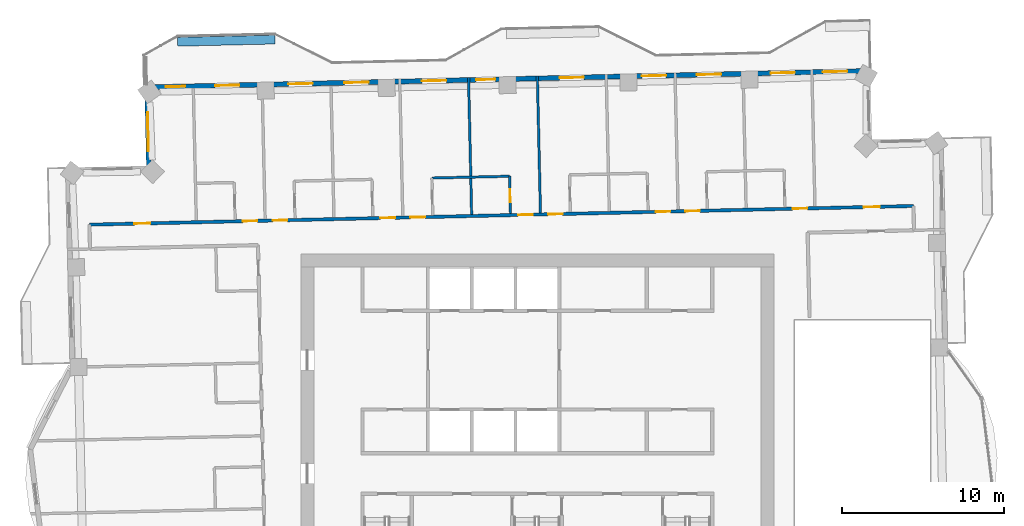
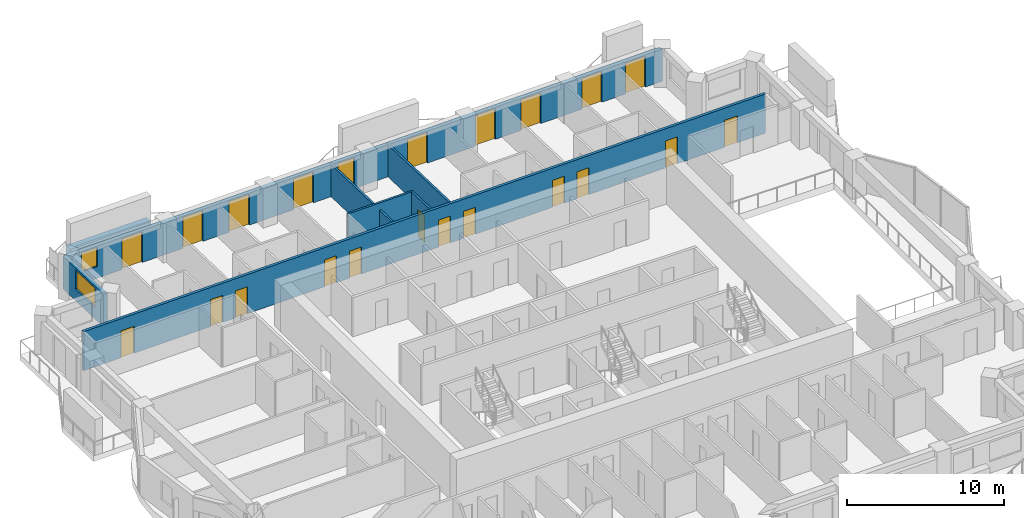
# One storey, part 11 of 17: 22 doors, 8 walls, 2 windows, 24 openings.
"""IFC4 building model written with IfcOpenShell, lengths in metres."""

from ifc_helpers import new_model, si_unit, direction, frame, frame_2d, origin, place, context, subcontext, project, spatial, rectangle, extrude, material, layer, layer_set, type_object, element, fill, save


model = new_model("IFC4")

# Units and contexts
model_context = context("Model", 3, precision=1e-05, world=origin(), true_north=direction((0.0, 1.0)))
body_context = subcontext(model_context, "Body", "Model", "MODEL_VIEW")
ifc_project = project(units=[si_unit("LENGTHUNIT", "METRE"), si_unit("AREAUNIT", "SQUARE_METRE"), si_unit("VOLUMEUNIT", "CUBIC_METRE"), si_unit("PLANEANGLEUNIT", "RADIAN"), si_unit("MASSUNIT", "GRAM", prefix="KILO")], contexts=[model_context])

# Site, building, storey
site_placement = place(None, origin())
site = spatial("IfcSite", under=ifc_project, at=site_placement, CompositionType="ELEMENT")
building_placement = place(site_placement, origin())
building = spatial("IfcBuilding", under=site, at=building_placement, Name="Mangrove Gate Tower", CompositionType="ELEMENT")
storey_placement = place(building_placement, frame((0.0, 0.0, 249.10009765625)))
storey = spatial("IfcBuildingStorey", under=building, at=storey_placement, Name="L63", CompositionType="ELEMENT", Elevation=249.10009765625)

# Wall, openings, doors
ifc_material_1 = material(Name="Gypsum board on steel stud, EI 60", Category="steel")
ifc_layer_1 = layer(ifc_material_1, 0.199951171875)
ifc_layer_set_1 = layer_set([ifc_layer_1], Name="Corridor wall EI 60")
wall_type_1 = type_object("IfcWallType", Name="Corridor wall EI 60", PredefinedType="PARTITIONING", material=ifc_layer_set_1)
wall_1_placement = place(storey_placement, frame((-27.652099609375, 13.4130859375, 0.0), z_axis=(0.0, 0.0, 1.0), x_axis=(0.999742864992, 0.022676064408, 0.0)))
wall_1 = element("IfcWall", 1, at=wall_1_placement, inside=storey, type_object=wall_type_1, Name="WALL-L63-058", PredefinedType="PARTITIONING", context=body_context, shape_type="SweptSolid", body=[
    extrude(rectangle(XDim=50.88232421875, YDim=0.199951171875, at=frame_2d((25.441162109375, 0.0))), origin(), (0.0, 0.0, 1.0), 3.0498046875),
])
opening_1_placement = place(wall_1_placement, frame((47.801025390625, 0.0, 0.0)))
opening_1 = element("IfcOpeningElement", 2, at=opening_1_placement, cuts=wall_1, Name="Opening AD", PredefinedType="OPENING", context=body_context, shape_type="SweptSolid", body=[
    extrude(rectangle(XDim=1.0, YDim=2.10009765625, at=frame_2d((0.5, 1.050048828125))), frame((0.0, 0.10986328125, 0.0), z_axis=(0.0, -1.0, 0.0), x_axis=(1.0, 0.0, 0.0)), (0.0, 0.0, 1.0), 0.219970703125),
])
opening_2_placement = place(wall_1_placement, frame((43.425048828125, 0.0, 0.0)))
opening_2 = element("IfcOpeningElement", 3, at=opening_2_placement, cuts=wall_1, Name="Opening BD", PredefinedType="OPENING", context=body_context, shape_type="SweptSolid", body=[
    extrude(rectangle(XDim=0.89990234375, YDim=2.10009765625, at=frame_2d((0.449951171875, 1.050048828125))), frame((0.0, 0.10986328125, 0.0), z_axis=(0.0, -1.0, 0.0), x_axis=(1.0, 0.0, 0.0)), (0.0, 0.0, 1.0), 0.219970703125),
])
opening_3_placement = place(wall_1_placement, frame((36.800048828125, 0.0, 0.0)))
opening_3 = element("IfcOpeningElement", 4, at=opening_3_placement, cuts=wall_1, Name="Opening BD", PredefinedType="OPENING", context=body_context, shape_type="SweptSolid", body=[
    extrude(rectangle(XDim=0.89990234375, YDim=2.10009765625, at=frame_2d((0.449951171875, 1.050048828125))), frame((0.0, 0.10986328125, 0.0), z_axis=(0.0, -1.0, 0.0), x_axis=(1.0, 0.0, 0.0)), (0.0, 0.0, 1.0), 0.219970703125),
])
opening_4_placement = place(wall_1_placement, frame((34.97509765625, 0.0, 0.0)))
opening_4 = element("IfcOpeningElement", 5, at=opening_4_placement, cuts=wall_1, Name="Opening BD", PredefinedType="OPENING", context=body_context, shape_type="SweptSolid", body=[
    extrude(rectangle(XDim=0.89990234375, YDim=2.10009765625, at=frame_2d((0.449951171875, 1.050048828125))), frame((0.0, 0.10986328125, 0.0), z_axis=(0.0, -1.0, 0.0), x_axis=(1.0, 0.0, 0.0)), (0.0, 0.0, 1.0), 0.219970703125),
])
opening_5_placement = place(wall_1_placement, frame((28.324951171875, 0.0, 0.0)))
opening_5 = element("IfcOpeningElement", 6, at=opening_5_placement, cuts=wall_1, Name="Opening BD", PredefinedType="OPENING", context=body_context, shape_type="SweptSolid", body=[
    extrude(rectangle(XDim=0.89990234375, YDim=2.10009765625, at=frame_2d((0.449951171875, 1.050048828125))), frame((0.0, 0.10986328125, 0.0), z_axis=(0.0, -1.0, 0.0), x_axis=(1.0, 0.0, 0.0)), (0.0, 0.0, 1.0), 0.219970703125),
])
opening_6_placement = place(wall_1_placement, frame((26.47509765625, 0.0, 0.0)))
opening_6 = element("IfcOpeningElement", 7, at=opening_6_placement, cuts=wall_1, Name="Opening BD", PredefinedType="OPENING", context=body_context, shape_type="SweptSolid", body=[
    extrude(rectangle(XDim=0.89990234375, YDim=2.10009765625, at=frame_2d((0.449951171875, 1.050048828125))), frame((0.0, 0.10986328125, 0.0), z_axis=(0.0, -1.0, 0.0), x_axis=(1.0, 0.0, 0.0)), (0.0, 0.0, 1.0), 0.219970703125),
])
opening_7_placement = place(wall_1_placement, frame((19.824951171875, 0.0, 0.0)))
opening_7 = element("IfcOpeningElement", 8, at=opening_7_placement, cuts=wall_1, Name="Opening BD", PredefinedType="OPENING", context=body_context, shape_type="SweptSolid", body=[
    extrude(rectangle(XDim=0.89990234375, YDim=2.10009765625, at=frame_2d((0.449951171875, 1.050048828125))), frame((0.0, 0.10986328125, 0.0), z_axis=(0.0, -1.0, 0.0), x_axis=(1.0, 0.0, 0.0)), (0.0, 0.0, 1.0), 0.219970703125),
])
opening_8_placement = place(wall_1_placement, frame((17.97509765625, 0.0, 0.0)))
opening_8 = element("IfcOpeningElement", 9, at=opening_8_placement, cuts=wall_1, Name="Opening BD", PredefinedType="OPENING", context=body_context, shape_type="SweptSolid", body=[
    extrude(rectangle(XDim=0.89990234375, YDim=2.10009765625, at=frame_2d((0.449951171875, 1.050048828125))), frame((0.0, 0.10986328125, 0.0), z_axis=(0.0, -1.0, 0.0), x_axis=(1.0, 0.0, 0.0)), (0.0, 0.0, 1.0), 0.219970703125),
])
opening_9_placement = place(wall_1_placement, frame((11.324951171875, 0.0, 0.0)))
opening_9 = element("IfcOpeningElement", 10, at=opening_9_placement, cuts=wall_1, Name="Opening BD", PredefinedType="OPENING", context=body_context, shape_type="SweptSolid", body=[
    extrude(rectangle(XDim=0.89990234375, YDim=2.10009765625, at=frame_2d((0.449951171875, 1.050048828125))), frame((0.0, 0.10986328125, 0.0), z_axis=(0.0, -1.0, 0.0), x_axis=(1.0, 0.0, 0.0)), (0.0, 0.0, 1.0), 0.219970703125),
])
opening_10_placement = place(wall_1_placement, frame((9.47509765625, 0.0, 0.0)))
opening_10 = element("IfcOpeningElement", 11, at=opening_10_placement, cuts=wall_1, Name="Opening BD", PredefinedType="OPENING", context=body_context, shape_type="SweptSolid", body=[
    extrude(rectangle(XDim=0.89990234375, YDim=2.10009765625, at=frame_2d((0.449951171875, 1.050048828125))), frame((0.0, 0.10986328125, 0.0), z_axis=(0.0, -1.0, 0.0), x_axis=(1.0, 0.0, 0.0)), (0.0, 0.0, 1.0), 0.219970703125),
])
opening_11_placement = place(wall_1_placement, frame((2.77197265625, 0.0, 0.0)))
opening_11 = element("IfcOpeningElement", 12, at=opening_11_placement, cuts=wall_1, Name="Opening AD", PredefinedType="OPENING", context=body_context, shape_type="SweptSolid", body=[
    extrude(rectangle(XDim=1.0, YDim=2.10009765625, at=frame_2d((0.5, 1.050048828125))), frame((0.0, 0.10986328125, 0.0), z_axis=(0.0, -1.0, 0.0), x_axis=(1.0, 0.0, 0.0)), (0.0, 0.0, 1.0), 0.219970703125),
])
ifc_material_2 = material(Name="Timber door leaf", Category="wood")
door_type_1 = type_object("IfcDoorType", Name="Amenity door 1000", OperationType="SINGLE_SWING_LEFT", PredefinedType="DOOR", material=ifc_material_2)
door_1_placement = place(opening_1_placement, origin())
door_1 = element("IfcDoor", 13, at=door_1_placement, inside=storey, type_object=door_type_1, Name="DOOR-L63-KIT-c3c", OperationType="SINGLE_SWING_LEFT", OverallHeight=2.10009765625, OverallWidth=1.0, PredefinedType="DOOR", context=body_context, shape_type="SweptSolid", body=[
    extrude(rectangle(XDim=1.0, YDim=2.10009765625, at=frame_2d((0.5, 1.050048828125))), frame((0.0, 0.02490234375, 0.0), z_axis=(0.0, -1.0, 0.0), x_axis=(1.0, 0.0, 0.0)), (0.0, 0.0, 1.0), 0.050048828125),
])
fill(opening_1, door_1)
door_2_placement = place(opening_11_placement, origin())
door_2 = element("IfcDoor", 14, at=door_2_placement, inside=storey, type_object=door_type_1, Name="DOOR-L63-STU-c5a", OperationType="SINGLE_SWING_RIGHT", OverallHeight=2.10009765625, OverallWidth=1.0, PredefinedType="DOOR", context=body_context, shape_type="SweptSolid", body=[
    extrude(rectangle(XDim=1.0, YDim=2.10009765625, at=frame_2d((0.5, 1.050048828125))), frame((0.0, 0.02490234375, 0.0), z_axis=(0.0, -1.0, 0.0), x_axis=(1.0, 0.0, 0.0)), (0.0, 0.0, 1.0), 0.050048828125),
])
fill(opening_11, door_2)
ifc_material_3 = material(Name="Timber door leaf", Category="wood")
door_type_2 = type_object("IfcDoorType", Name="Bedroom door 900", OperationType="SINGLE_SWING_LEFT", PredefinedType="DOOR", material=ifc_material_3)
door_3_placement = place(opening_2_placement, origin())
door_3 = element("IfcDoor", 15, at=door_3_placement, inside=storey, type_object=door_type_2, Name="DOOR-L63-BED-c309", OperationType="SINGLE_SWING_LEFT", OverallHeight=2.10009765625, OverallWidth=0.89990234375, PredefinedType="DOOR", context=body_context, shape_type="SweptSolid", body=[
    extrude(rectangle(XDim=0.89990234375, YDim=2.10009765625, at=frame_2d((0.449951171875, 1.050048828125))), frame((0.0, 0.02490234375, 0.0), z_axis=(0.0, -1.0, 0.0), x_axis=(1.0, 0.0, 0.0)), (0.0, 0.0, 1.0), 0.050048828125),
])
fill(opening_2, door_3)
door_4_placement = place(opening_3_placement, origin())
door_4 = element("IfcDoor", 16, at=door_4_placement, inside=storey, type_object=door_type_2, Name="DOOR-L63-BED-c310", OperationType="SINGLE_SWING_RIGHT", OverallHeight=2.10009765625, OverallWidth=0.89990234375, PredefinedType="DOOR", context=body_context, shape_type="SweptSolid", body=[
    extrude(rectangle(XDim=0.89990234375, YDim=2.10009765625, at=frame_2d((0.449951171875, 1.050048828125))), frame((0.0, 0.02490234375, 0.0), z_axis=(0.0, -1.0, 0.0), x_axis=(1.0, 0.0, 0.0)), (0.0, 0.0, 1.0), 0.050048828125),
])
fill(opening_3, door_4)
door_5_placement = place(opening_4_placement, origin())
door_5 = element("IfcDoor", 17, at=door_5_placement, inside=storey, type_object=door_type_2, Name="DOOR-L63-BED-c311", OperationType="SINGLE_SWING_LEFT", OverallHeight=2.10009765625, OverallWidth=0.89990234375, PredefinedType="DOOR", context=body_context, shape_type="SweptSolid", body=[
    extrude(rectangle(XDim=0.89990234375, YDim=2.10009765625, at=frame_2d((0.449951171875, 1.050048828125))), frame((0.0, 0.02490234375, 0.0), z_axis=(0.0, -1.0, 0.0), x_axis=(1.0, 0.0, 0.0)), (0.0, 0.0, 1.0), 0.050048828125),
])
fill(opening_4, door_5)
door_6_placement = place(opening_5_placement, origin())
door_6 = element("IfcDoor", 18, at=door_6_placement, inside=storey, type_object=door_type_2, Name="DOOR-L63-BED-c412", OperationType="SINGLE_SWING_RIGHT", OverallHeight=2.10009765625, OverallWidth=0.89990234375, PredefinedType="DOOR", context=body_context, shape_type="SweptSolid", body=[
    extrude(rectangle(XDim=0.89990234375, YDim=2.10009765625, at=frame_2d((0.449951171875, 1.050048828125))), frame((0.0, 0.02490234375, 0.0), z_axis=(0.0, -1.0, 0.0), x_axis=(1.0, 0.0, 0.0)), (0.0, 0.0, 1.0), 0.050048828125),
])
fill(opening_5, door_6)
door_7_placement = place(opening_6_placement, origin())
door_7 = element("IfcDoor", 19, at=door_7_placement, inside=storey, type_object=door_type_2, Name="DOOR-L63-BED-c413", OperationType="SINGLE_SWING_LEFT", OverallHeight=2.10009765625, OverallWidth=0.89990234375, PredefinedType="DOOR", context=body_context, shape_type="SweptSolid", body=[
    extrude(rectangle(XDim=0.89990234375, YDim=2.10009765625, at=frame_2d((0.449951171875, 1.050048828125))), frame((0.0, 0.02490234375, 0.0), z_axis=(0.0, -1.0, 0.0), x_axis=(1.0, 0.0, 0.0)), (0.0, 0.0, 1.0), 0.050048828125),
])
fill(opening_6, door_7)
door_8_placement = place(opening_7_placement, origin())
door_8 = element("IfcDoor", 20, at=door_8_placement, inside=storey, type_object=door_type_2, Name="DOOR-L63-BED-c414", OperationType="SINGLE_SWING_RIGHT", OverallHeight=2.10009765625, OverallWidth=0.89990234375, PredefinedType="DOOR", context=body_context, shape_type="SweptSolid", body=[
    extrude(rectangle(XDim=0.89990234375, YDim=2.10009765625, at=frame_2d((0.449951171875, 1.050048828125))), frame((0.0, 0.02490234375, 0.0), z_axis=(0.0, -1.0, 0.0), x_axis=(1.0, 0.0, 0.0)), (0.0, 0.0, 1.0), 0.050048828125),
])
fill(opening_7, door_8)
door_9_placement = place(opening_8_placement, origin())
door_9 = element("IfcDoor", 21, at=door_9_placement, inside=storey, type_object=door_type_2, Name="DOOR-L63-BED-c515", OperationType="SINGLE_SWING_LEFT", OverallHeight=2.10009765625, OverallWidth=0.89990234375, PredefinedType="DOOR", context=body_context, shape_type="SweptSolid", body=[
    extrude(rectangle(XDim=0.89990234375, YDim=2.10009765625, at=frame_2d((0.449951171875, 1.050048828125))), frame((0.0, 0.02490234375, 0.0), z_axis=(0.0, -1.0, 0.0), x_axis=(1.0, 0.0, 0.0)), (0.0, 0.0, 1.0), 0.050048828125),
])
fill(opening_8, door_9)
door_10_placement = place(opening_9_placement, origin())
door_10 = element("IfcDoor", 22, at=door_10_placement, inside=storey, type_object=door_type_2, Name="DOOR-L63-BED-c516", OperationType="SINGLE_SWING_RIGHT", OverallHeight=2.10009765625, OverallWidth=0.89990234375, PredefinedType="DOOR", context=body_context, shape_type="SweptSolid", body=[
    extrude(rectangle(XDim=0.89990234375, YDim=2.10009765625, at=frame_2d((0.449951171875, 1.050048828125))), frame((0.0, 0.02490234375, 0.0), z_axis=(0.0, -1.0, 0.0), x_axis=(1.0, 0.0, 0.0)), (0.0, 0.0, 1.0), 0.050048828125),
])
fill(opening_9, door_10)
door_11_placement = place(opening_10_placement, origin())
door_11 = element("IfcDoor", 23, at=door_11_placement, inside=storey, type_object=door_type_2, Name="DOOR-L63-BED-c517", OperationType="SINGLE_SWING_LEFT", OverallHeight=2.10009765625, OverallWidth=0.89990234375, PredefinedType="DOOR", context=body_context, shape_type="SweptSolid", body=[
    extrude(rectangle(XDim=0.89990234375, YDim=2.10009765625, at=frame_2d((0.449951171875, 1.050048828125))), frame((0.0, 0.02490234375, 0.0), z_axis=(0.0, -1.0, 0.0), x_axis=(1.0, 0.0, 0.0)), (0.0, 0.0, 1.0), 0.050048828125),
])
fill(opening_10, door_11)

# Wall, openings, doors, window
ifc_material_4 = material(Name="Limestone", Category="masonry")
ifc_layer_2 = layer(ifc_material_4, 0.0400390625, Name="Limestone cladding")
ifc_material_5 = material(Name="Ventilated air gap")
ifc_layer_3 = layer(ifc_material_5, 0.0400390625, Name="Ventilated cavity")
ifc_material_6 = material(Name="Mineral wool insulation")
ifc_layer_4 = layer(ifc_material_6, 0.06005859375, Name="Insulation")
ifc_material_7 = material(Name="Breather membrane")
ifc_layer_5 = layer(ifc_material_7, 0.001953125, Name="Breather membrane")
ifc_material_8 = material(Name="Concrete C20/25 blockwork", Category="masonry")
ifc_layer_6 = layer(ifc_material_8, 0.14990234375, Name="Blockwork backing wall")
ifc_material_9 = material(Name="Gypsum plaster")
ifc_layer_7 = layer(ifc_material_9, 0.008056640625, Name="Internal plaster")
ifc_layer_set_2 = layer_set([ifc_layer_2, ifc_layer_3, ifc_layer_4, ifc_layer_5, ifc_layer_6, ifc_layer_7], Name="External wall 300 limestone cladding")
wall_type_2 = type_object("IfcWallType", Name="External wall 300 limestone cladding", PredefinedType="SOLIDWALL", material=ifc_layer_set_2)
wall_2_placement = place(storey_placement, frame((20.403076171875, 22.905029296875, 0.0), z_axis=(0.0, 0.0, 1.0), x_axis=(-0.99974298964, -0.022670568288, 0.0)))
wall_2 = element("IfcWall", 24, at=wall_2_placement, inside=storey, type_object=wall_type_2, Name="WALL-L63-N5", PredefinedType="SOLIDWALL", context=body_context, shape_type="SweptSolid", body=[
    extrude(rectangle(XDim=44.508544921875, YDim=0.300048828125, at=frame_2d((22.25439453125, 0.0))), origin(), (0.0, 0.0, 1.0), 2.5),
])
opening_12_placement = place(wall_2_placement, frame((1.27197265625, 0.0, 0.0)))
opening_12 = element("IfcOpeningElement", 25, at=opening_12_placement, cuts=wall_2, Name="Opening BD1", PredefinedType="OPENING", context=body_context, shape_type="SweptSolid", body=[
    extrude(rectangle(XDim=1.5, YDim=2.39990234375, at=frame_2d((0.75, 1.199951171875))), frame((0.0, 0.159912109375, 0.0), z_axis=(0.0, -1.0, 0.0), x_axis=(1.0, 0.0, 0.0)), (0.0, 0.0, 1.0), 0.320068359375),
])
opening_13_placement = place(wall_2_placement, frame((4.5009765625, 0.0, 0.0)))
opening_13 = element("IfcOpeningElement", 26, at=opening_13_placement, cuts=wall_2, Name="Opening BD1", PredefinedType="OPENING", context=body_context, shape_type="SweptSolid", body=[
    extrude(rectangle(XDim=1.5, YDim=2.39990234375, at=frame_2d((0.75, 1.199951171875))), frame((0.0, 0.159912109375, 0.0), z_axis=(0.0, -1.0, 0.0), x_axis=(1.0, 0.0, 0.0)), (0.0, 0.0, 1.0), 0.320068359375),
])
opening_14_placement = place(wall_2_placement, frame((9.05810546875, 0.0, 0.0)))
opening_14 = element("IfcOpeningElement", 27, at=opening_14_placement, cuts=wall_2, Name="Opening BD1", PredefinedType="OPENING", context=body_context, shape_type="SweptSolid", body=[
    extrude(rectangle(XDim=1.5, YDim=2.39990234375, at=frame_2d((0.75, 1.199951171875))), frame((0.0, 0.159912109375, 0.0), z_axis=(0.0, -1.0, 0.0), x_axis=(1.0, 0.0, 0.0)), (0.0, 0.0, 1.0), 0.320068359375),
])
opening_15_placement = place(wall_2_placement, frame((12.4599609375, 0.0, 0.0)))
opening_15 = element("IfcOpeningElement", 28, at=opening_15_placement, cuts=wall_2, Name="Opening BD1", PredefinedType="OPENING", context=body_context, shape_type="SweptSolid", body=[
    extrude(rectangle(XDim=1.5, YDim=2.39990234375, at=frame_2d((0.75, 1.199951171875))), frame((0.0, 0.159912109375, 0.0), z_axis=(0.0, -1.0, 0.0), x_axis=(1.0, 0.0, 0.0)), (0.0, 0.0, 1.0), 0.320068359375),
])
opening_16_placement = place(wall_2_placement, frame((17.532958984375, 0.0, 0.0)))
opening_16 = element("IfcOpeningElement", 29, at=opening_16_placement, cuts=wall_2, Name="Opening BD1", PredefinedType="OPENING", context=body_context, shape_type="SweptSolid", body=[
    extrude(rectangle(XDim=1.5, YDim=2.39990234375, at=frame_2d((0.75, 1.199951171875))), frame((0.0, 0.159912109375, 0.0), z_axis=(0.0, -1.0, 0.0), x_axis=(1.0, 0.0, 0.0)), (0.0, 0.0, 1.0), 0.320068359375),
])
opening_17_placement = place(wall_2_placement, frame((22.992919921875, 0.0, 0.0)))
opening_17 = element("IfcOpeningElement", 30, at=opening_17_placement, cuts=wall_2, Name="Opening BD2", PredefinedType="OPENING", context=body_context, shape_type="SweptSolid", body=[
    extrude(rectangle(XDim=1.199951171875, YDim=2.39990234375, at=frame_2d((0.60009765625, 1.199951171875))), frame((0.0, 0.159912109375, 0.0), z_axis=(0.0, -1.0, 0.0), x_axis=(1.0, 0.0, 0.0)), (0.0, 0.0, 1.0), 0.320068359375),
])
opening_18_placement = place(wall_2_placement, frame((26.032958984375, 0.0, 0.0)))
opening_18 = element("IfcOpeningElement", 31, at=opening_18_placement, cuts=wall_2, Name="Opening BD1", PredefinedType="OPENING", context=body_context, shape_type="SweptSolid", body=[
    extrude(rectangle(XDim=1.5, YDim=2.39990234375, at=frame_2d((0.75, 1.199951171875))), frame((0.0, 0.159912109375, 0.0), z_axis=(0.0, -1.0, 0.0), x_axis=(1.0, 0.0, 0.0)), (0.0, 0.0, 1.0), 0.320068359375),
])
opening_19_placement = place(wall_2_placement, frame((30.826904296875, 0.0, 0.0)))
opening_19 = element("IfcOpeningElement", 32, at=opening_19_placement, cuts=wall_2, Name="Opening BD1", PredefinedType="OPENING", context=body_context, shape_type="SweptSolid", body=[
    extrude(rectangle(XDim=1.5, YDim=2.39990234375, at=frame_2d((0.75, 1.199951171875))), frame((0.0, 0.159912109375, 0.0), z_axis=(0.0, -1.0, 0.0), x_axis=(1.0, 0.0, 0.0)), (0.0, 0.0, 1.0), 0.320068359375),
])
opening_20_placement = place(wall_2_placement, frame((34.285888671875, 0.0, 0.0)))
opening_20 = element("IfcOpeningElement", 33, at=opening_20_placement, cuts=wall_2, Name="Opening BD1", PredefinedType="OPENING", context=body_context, shape_type="SweptSolid", body=[
    extrude(rectangle(XDim=1.5, YDim=2.39990234375, at=frame_2d((0.75, 1.199951171875))), frame((0.0, 0.159912109375, 0.0), z_axis=(0.0, -1.0, 0.0), x_axis=(1.0, 0.0, 0.0)), (0.0, 0.0, 1.0), 0.320068359375),
])
opening_21_placement = place(wall_2_placement, frame((38.81103515625, 0.0, 0.0)))
opening_21 = element("IfcOpeningElement", 34, at=opening_21_placement, cuts=wall_2, Name="Opening BD1", PredefinedType="OPENING", context=body_context, shape_type="SweptSolid", body=[
    extrude(rectangle(XDim=1.5, YDim=2.39990234375, at=frame_2d((0.75, 1.199951171875))), frame((0.0, 0.159912109375, 0.0), z_axis=(0.0, -1.0, 0.0), x_axis=(1.0, 0.0, 0.0)), (0.0, 0.0, 1.0), 0.320068359375),
])
opening_22_placement = place(wall_2_placement, frame((42.14794921875, 0.0, 0.89990234375)))
opening_22 = element("IfcOpeningElement", 35, at=opening_22_placement, cuts=wall_2, Name="Opening W1", PredefinedType="OPENING", context=body_context, shape_type="SweptSolid", body=[
    extrude(rectangle(XDim=1.199951171875, YDim=1.5, at=frame_2d((0.60009765625, 0.75))), frame((0.0, 0.159912109375, 0.0), z_axis=(0.0, -1.0, 0.0), x_axis=(1.0, 0.0, 0.0)), (0.0, 0.0, 1.0), 0.320068359375),
])
ifc_material_10 = material(Name="Aluminium frame with laminated clear glass", Category="aluminium")
door_type_3 = type_object("IfcDoorType", Name="Balcony sliding door 1200x2400", OperationType="SLIDING_TO_LEFT", PredefinedType="DOOR", material=ifc_material_10)
door_12_placement = place(opening_17_placement, origin())
door_12 = element("IfcDoor", 36, at=door_12_placement, inside=storey, type_object=door_type_3, Name="DOOR-L63-N5-6", OperationType="SLIDING_TO_LEFT", OverallHeight=2.39990234375, OverallWidth=1.199951171875, PredefinedType="DOOR", context=body_context, shape_type="SweptSolid", body=[
    extrude(rectangle(XDim=1.199951171875, YDim=2.39990234375, at=frame_2d((0.60009765625, 1.199951171875))), frame((0.0, 0.02490234375, 0.0), z_axis=(0.0, -1.0, 0.0), x_axis=(1.0, 0.0, 0.0)), (0.0, 0.0, 1.0), 0.050048828125),
])
fill(opening_17, door_12)
ifc_material_11 = material(Name="Aluminium frame with laminated clear glass", Category="aluminium")
door_type_4 = type_object("IfcDoorType", Name="Balcony sliding door 1500x2400", OperationType="SLIDING_TO_LEFT", PredefinedType="DOOR", material=ifc_material_11)
door_13_placement = place(opening_12_placement, origin())
door_13 = element("IfcDoor", 37, at=door_13_placement, inside=storey, type_object=door_type_4, Name="DOOR-L63-N5-1", OperationType="SLIDING_TO_LEFT", OverallHeight=2.39990234375, OverallWidth=1.5, PredefinedType="DOOR", context=body_context, shape_type="SweptSolid", body=[
    extrude(rectangle(XDim=1.5, YDim=2.39990234375, at=frame_2d((0.75, 1.199951171875))), frame((0.0, 0.02490234375, 0.0), z_axis=(0.0, -1.0, 0.0), x_axis=(1.0, 0.0, 0.0)), (0.0, 0.0, 1.0), 0.050048828125),
])
fill(opening_12, door_13)
door_14_placement = place(opening_13_placement, origin())
door_14 = element("IfcDoor", 38, at=door_14_placement, inside=storey, type_object=door_type_4, Name="DOOR-L63-N5-2", OperationType="SLIDING_TO_LEFT", OverallHeight=2.39990234375, OverallWidth=1.5, PredefinedType="DOOR", context=body_context, shape_type="SweptSolid", body=[
    extrude(rectangle(XDim=1.5, YDim=2.39990234375, at=frame_2d((0.75, 1.199951171875))), frame((0.0, 0.02490234375, 0.0), z_axis=(0.0, -1.0, 0.0), x_axis=(1.0, 0.0, 0.0)), (0.0, 0.0, 1.0), 0.050048828125),
])
fill(opening_13, door_14)
door_15_placement = place(opening_14_placement, origin())
door_15 = element("IfcDoor", 39, at=door_15_placement, inside=storey, type_object=door_type_4, Name="DOOR-L63-N5-3", OperationType="SLIDING_TO_LEFT", OverallHeight=2.39990234375, OverallWidth=1.5, PredefinedType="DOOR", context=body_context, shape_type="SweptSolid", body=[
    extrude(rectangle(XDim=1.5, YDim=2.39990234375, at=frame_2d((0.75, 1.199951171875))), frame((0.0, 0.02490234375, 0.0), z_axis=(0.0, -1.0, 0.0), x_axis=(1.0, 0.0, 0.0)), (0.0, 0.0, 1.0), 0.050048828125),
])
fill(opening_14, door_15)
door_16_placement = place(opening_15_placement, origin())
door_16 = element("IfcDoor", 40, at=door_16_placement, inside=storey, type_object=door_type_4, Name="DOOR-L63-N5-4", OperationType="SLIDING_TO_LEFT", OverallHeight=2.39990234375, OverallWidth=1.5, PredefinedType="DOOR", context=body_context, shape_type="SweptSolid", body=[
    extrude(rectangle(XDim=1.5, YDim=2.39990234375, at=frame_2d((0.75, 1.199951171875))), frame((0.0, 0.02490234375, 0.0), z_axis=(0.0, -1.0, 0.0), x_axis=(1.0, 0.0, 0.0)), (0.0, 0.0, 1.0), 0.050048828125),
])
fill(opening_15, door_16)
door_17_placement = place(opening_16_placement, origin())
door_17 = element("IfcDoor", 41, at=door_17_placement, inside=storey, type_object=door_type_4, Name="DOOR-L63-N5-5", OperationType="SLIDING_TO_LEFT", OverallHeight=2.39990234375, OverallWidth=1.5, PredefinedType="DOOR", context=body_context, shape_type="SweptSolid", body=[
    extrude(rectangle(XDim=1.5, YDim=2.39990234375, at=frame_2d((0.75, 1.199951171875))), frame((0.0, 0.02490234375, 0.0), z_axis=(0.0, -1.0, 0.0), x_axis=(1.0, 0.0, 0.0)), (0.0, 0.0, 1.0), 0.050048828125),
])
fill(opening_16, door_17)
door_18_placement = place(opening_18_placement, origin())
door_18 = element("IfcDoor", 42, at=door_18_placement, inside=storey, type_object=door_type_4, Name="DOOR-L63-N5-7", OperationType="SLIDING_TO_LEFT", OverallHeight=2.39990234375, OverallWidth=1.5, PredefinedType="DOOR", context=body_context, shape_type="SweptSolid", body=[
    extrude(rectangle(XDim=1.5, YDim=2.39990234375, at=frame_2d((0.75, 1.199951171875))), frame((0.0, 0.02490234375, 0.0), z_axis=(0.0, -1.0, 0.0), x_axis=(1.0, 0.0, 0.0)), (0.0, 0.0, 1.0), 0.050048828125),
])
fill(opening_18, door_18)
door_19_placement = place(opening_19_placement, origin())
door_19 = element("IfcDoor", 43, at=door_19_placement, inside=storey, type_object=door_type_4, Name="DOOR-L63-N5-8", OperationType="SLIDING_TO_LEFT", OverallHeight=2.39990234375, OverallWidth=1.5, PredefinedType="DOOR", context=body_context, shape_type="SweptSolid", body=[
    extrude(rectangle(XDim=1.5, YDim=2.39990234375, at=frame_2d((0.75, 1.199951171875))), frame((0.0, 0.02490234375, 0.0), z_axis=(0.0, -1.0, 0.0), x_axis=(1.0, 0.0, 0.0)), (0.0, 0.0, 1.0), 0.050048828125),
])
fill(opening_19, door_19)
door_20_placement = place(opening_20_placement, origin())
door_20 = element("IfcDoor", 44, at=door_20_placement, inside=storey, type_object=door_type_4, Name="DOOR-L63-N5-9", OperationType="SLIDING_TO_LEFT", OverallHeight=2.39990234375, OverallWidth=1.5, PredefinedType="DOOR", context=body_context, shape_type="SweptSolid", body=[
    extrude(rectangle(XDim=1.5, YDim=2.39990234375, at=frame_2d((0.75, 1.199951171875))), frame((0.0, 0.02490234375, 0.0), z_axis=(0.0, -1.0, 0.0), x_axis=(1.0, 0.0, 0.0)), (0.0, 0.0, 1.0), 0.050048828125),
])
fill(opening_20, door_20)
door_21_placement = place(opening_21_placement, origin())
door_21 = element("IfcDoor", 45, at=door_21_placement, inside=storey, type_object=door_type_4, Name="DOOR-L63-N5-10", OperationType="SLIDING_TO_LEFT", OverallHeight=2.39990234375, OverallWidth=1.5, PredefinedType="DOOR", context=body_context, shape_type="SweptSolid", body=[
    extrude(rectangle(XDim=1.5, YDim=2.39990234375, at=frame_2d((0.75, 1.199951171875))), frame((0.0, 0.02490234375, 0.0), z_axis=(0.0, -1.0, 0.0), x_axis=(1.0, 0.0, 0.0)), (0.0, 0.0, 1.0), 0.050048828125),
])
fill(opening_21, door_21)
ifc_material_12 = material(Name="Aluminium frame with double-glazed low-e glass", Category="aluminium")
window_type_1 = type_object("IfcWindowType", Name="Side lite 1200x1500", PartitioningType="SINGLE_PANEL", PredefinedType="WINDOW", material=ifc_material_12)
window_1_placement = place(opening_22_placement, origin())
window_1 = element("IfcWindow", 46, at=window_1_placement, inside=storey, type_object=window_type_1, Name="WIN-L63-N5-11", OverallHeight=1.5, OverallWidth=1.199951171875, PartitioningType="SINGLE_PANEL", PredefinedType="WINDOW", context=body_context, shape_type="SweptSolid", body=[
    extrude(rectangle(XDim=1.199951171875, YDim=1.5, at=frame_2d((0.60009765625, 0.75))), frame((0.0, 0.030029296875, 0.0), z_axis=(0.0, -1.0, 0.0), x_axis=(1.0, 0.0, 0.0)), (0.0, 0.0, 1.0), 0.06005859375),
])
fill(opening_22, window_1)

# Wall, opening, window
wall_3_placement = place(storey_placement, frame((-24.093994140625, 21.89599609375, 0.0), z_axis=(0.0, 0.0, 1.0), x_axis=(0.022606059803, -0.999744450377, 0.0)))
wall_3 = element("IfcWall", 47, at=wall_3_placement, inside=storey, type_object=wall_type_2, Name="WALL-L63-W6", PredefinedType="SOLIDWALL", context=body_context, shape_type="SweptSolid", body=[
    extrude(rectangle(XDim=5.000244140625, YDim=0.300048828125, at=frame_2d((2.5, 0.0))), origin(), (0.0, 0.0, 1.0), 2.5498046875),
])
opening_23_placement = place(wall_3_placement, frame((1.547119140625, 0.0, 0.89990234375)))
opening_23 = element("IfcOpeningElement", 48, at=opening_23_placement, cuts=wall_3, Name="Opening W2", PredefinedType="OPENING", context=body_context, shape_type="SweptSolid", body=[
    extrude(rectangle(XDim=2.39990234375, YDim=1.5, at=frame_2d((1.199951171875, 0.75))), frame((0.0, 0.159912109375, 0.0), z_axis=(0.0, -1.0, 0.0), x_axis=(1.0, 0.0, 0.0)), (0.0, 0.0, 1.0), 0.320068359375),
])
ifc_material_13 = material(Name="Aluminium frame with double-glazed low-e glass", Category="aluminium")
window_type_2 = type_object("IfcWindowType", Name="Corner room window 2400x1500", PartitioningType="DOUBLE_PANEL_VERTICAL", PredefinedType="WINDOW", material=ifc_material_13)
window_2_placement = place(opening_23_placement, origin())
window_2 = element("IfcWindow", 49, at=window_2_placement, inside=storey, type_object=window_type_2, Name="WIN-L63-W6-1", OverallHeight=1.5, OverallWidth=2.39990234375, PartitioningType="DOUBLE_PANEL_VERTICAL", PredefinedType="WINDOW", context=body_context, shape_type="SweptSolid", body=[
    extrude(rectangle(XDim=2.39990234375, YDim=1.5, at=frame_2d((1.199951171875, 0.75))), frame((0.0, 0.030029296875, 0.0), z_axis=(0.0, -1.0, 0.0), x_axis=(1.0, 0.0, 0.0)), (0.0, 0.0, 1.0), 0.06005859375),
])
fill(opening_23, window_2)

# Wall
ifc_material_14 = material(Name="Gypsum board on steel stud, EI 60", Category="steel")
ifc_layer_8 = layer(ifc_material_14, 0.14990234375)
ifc_layer_set_3 = layer_set([ifc_layer_8], Name="Party wall 150 EI 60")
wall_type_3 = type_object("IfcWallType", Name="Party wall 150 EI 60", PredefinedType="PARTITIONING", material=ifc_layer_set_3)
wall_4_placement = place(storey_placement, frame((-4.056884765625, 14.048095703125, 0.0), z_axis=(0.0, 0.0, 1.0), x_axis=(-0.022622304913, 0.999744082913, 0.0)))
element("IfcWall", 50, at=wall_4_placement, inside=storey, type_object=wall_type_3, Name="WALL-L63-067", PredefinedType="PARTITIONING", context=body_context, shape_type="SweptSolid", body=[
    extrude(rectangle(XDim=8.4501953125, YDim=0.14990234375, at=frame_2d((4.22509765625, 0.0))), origin(), (0.0, 0.0, 1.0), 2.5),
])

# Wall, opening, door
wall_5_placement = place(storey_placement, frame((-1.656982421875, 14.10302734375, 0.0), z_axis=(0.0, 0.0, 1.0), x_axis=(-0.023037316498, 0.999734605807, 0.0)))
wall_5 = element("IfcWall", 51, at=wall_5_placement, inside=storey, type_object=wall_type_3, Name="WALL-L63-068", PredefinedType="PARTITIONING", context=body_context, shape_type="SweptSolid", body=[
    extrude(rectangle(XDim=2.299560546875, YDim=0.14990234375, at=frame_2d((1.14990234375, 0.0))), origin(), (0.0, 0.0, 1.0), 3.0498046875),
])
opening_24_placement = place(wall_5_placement, frame((0.699951171875, 0.0, 0.0)))
opening_24 = element("IfcOpeningElement", 52, at=opening_24_placement, cuts=wall_5, Name="Opening ED", PredefinedType="OPENING", context=body_context, shape_type="SweptSolid", body=[
    extrude(rectangle(XDim=0.800048828125, YDim=2.10009765625, at=frame_2d((0.39990234375, 1.050048828125))), frame((0.0, 0.0849609375, 0.0), z_axis=(0.0, -1.0, 0.0), x_axis=(1.0, 0.0, 0.0)), (0.0, 0.0, 1.0), 0.169921875),
])
ifc_material_15 = material(Name="Timber door leaf", Category="wood")
door_type_5 = type_object("IfcDoorType", Name="En-suite door 800", OperationType="SINGLE_SWING_LEFT", PredefinedType="DOOR", material=ifc_material_15)
door_22_placement = place(opening_24_placement, origin())
door_22 = element("IfcDoor", 53, at=door_22_placement, inside=storey, type_object=door_type_5, Name="DOOR-L63-ENS-c413", OperationType="SINGLE_SWING_LEFT", OverallHeight=2.10009765625, OverallWidth=0.800048828125, PredefinedType="DOOR", context=body_context, shape_type="SweptSolid", body=[
    extrude(rectangle(XDim=0.800048828125, YDim=2.10009765625, at=frame_2d((0.39990234375, 1.050048828125))), frame((0.0, 0.02490234375, 0.0), z_axis=(0.0, -1.0, 0.0), x_axis=(1.0, 0.0, 0.0)), (0.0, 0.0, 1.0), 0.050048828125),
])
fill(opening_24, door_22)

# Walls
wall_6_placement = place(storey_placement, frame((0.19189453125, 14.14501953125, 0.0), z_axis=(0.0, 0.0, 1.0), x_axis=(-0.022708935798, 0.999742118866, 0.0)))
element("IfcWall", 54, at=wall_6_placement, inside=storey, type_object=wall_type_3, Name="WALL-L63-069", PredefinedType="PARTITIONING", context=body_context, shape_type="SweptSolid", body=[
    extrude(rectangle(XDim=8.4501953125, YDim=0.14990234375, at=frame_2d((4.22509765625, 0.0))), origin(), (0.0, 0.0, 1.0), 2.5),
])
wall_7_placement = place(storey_placement, frame((-6.511962890625, 16.29296875, 0.0), z_axis=(0.0, 0.0, 1.0), x_axis=(0.999741415159, 0.022739894798, 0.0)))
element("IfcWall", 55, at=wall_7_placement, inside=storey, type_object=wall_type_3, Name="WALL-L63-080", PredefinedType="PARTITIONING", context=body_context, shape_type="SweptSolid", body=[
    extrude(rectangle(XDim=4.799072265625, YDim=0.14990234375, at=frame_2d((2.3994140625, 0.0))), origin(), (0.0, 0.0, 1.0), 3.0498046875),
])
ifc_material_16 = material(Name="Concrete C32/40", Category="concrete")
ifc_layer_9 = layer(ifc_material_16, 0.199951171875, Name="Planter trough wall")
ifc_material_17 = material(Name="Bituminous waterproofing membrane")
ifc_layer_10 = layer(ifc_material_17, 0.0048828125, Name="Waterproofing")
ifc_material_18 = material(Name="Drainage board and gravel")
ifc_layer_11 = layer(ifc_material_18, 0.044921875, Name="Drainage layer")
ifc_material_19 = material(Name="Planting soil")
ifc_layer_12 = layer(ifc_material_19, 0.300048828125, Name="Growing medium")
ifc_layer_set_4 = layer_set([ifc_layer_9, ifc_layer_10, ifc_layer_11, ifc_layer_12], Name="Planter wall 550 C32/40")
wall_type_4 = type_object("IfcWallType", Name="Planter wall 550 C32/40", PredefinedType="USERDEFINED", material=ifc_layer_set_4)
wall_8_placement = place(storey_placement, frame((-22.202880859375, 24.7041015625, 0.0), z_axis=(0.0, 0.0, 1.0), x_axis=(0.999743073592, 0.022666865795, 0.0)))
element("IfcWall", 56, at=wall_8_placement, inside=storey, type_object=wall_type_4, Name="PLANTER L63 N1.1", ObjectType="PLANTER", PredefinedType="USERDEFINED", context=body_context, shape_type="SweptSolid", body=[
    extrude(rectangle(XDim=5.999267578125, YDim=0.550048828125, at=frame_2d((2.99951171875, 0.0))), origin(), (0.0, 0.0, 1.0), 0.7998046875),
])

save(model, "model.ifc")
